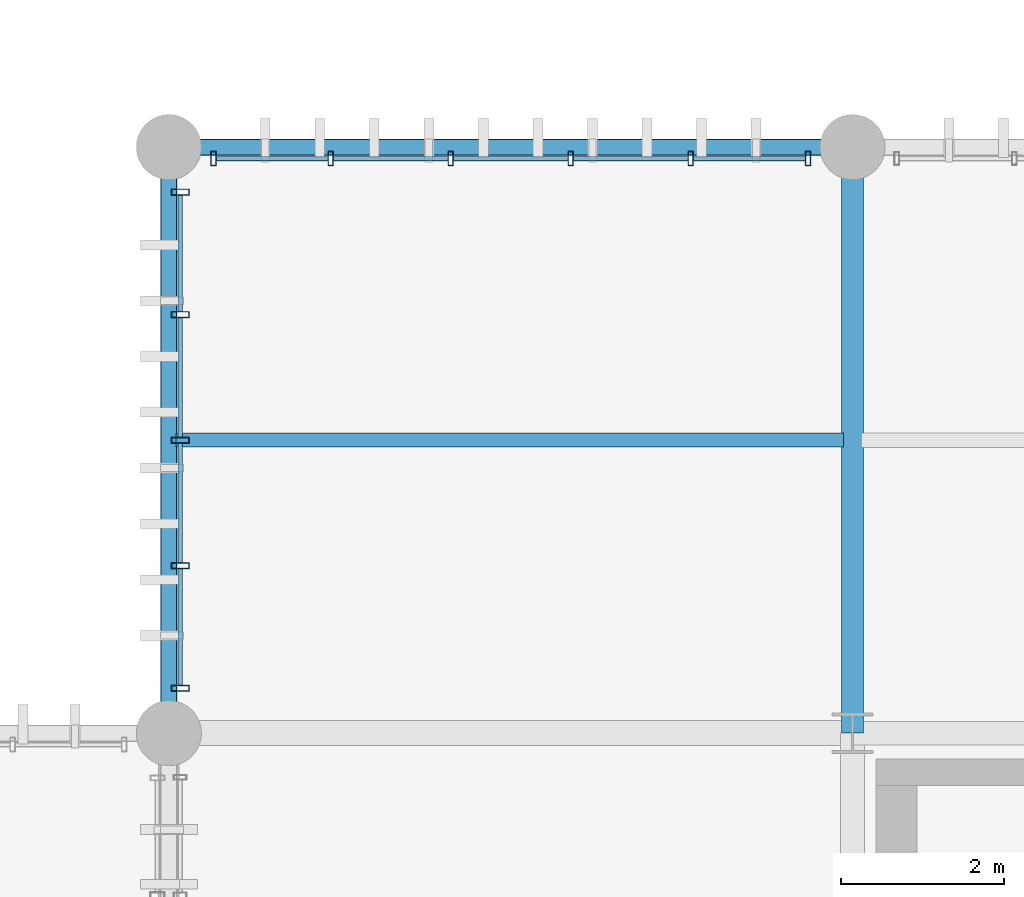
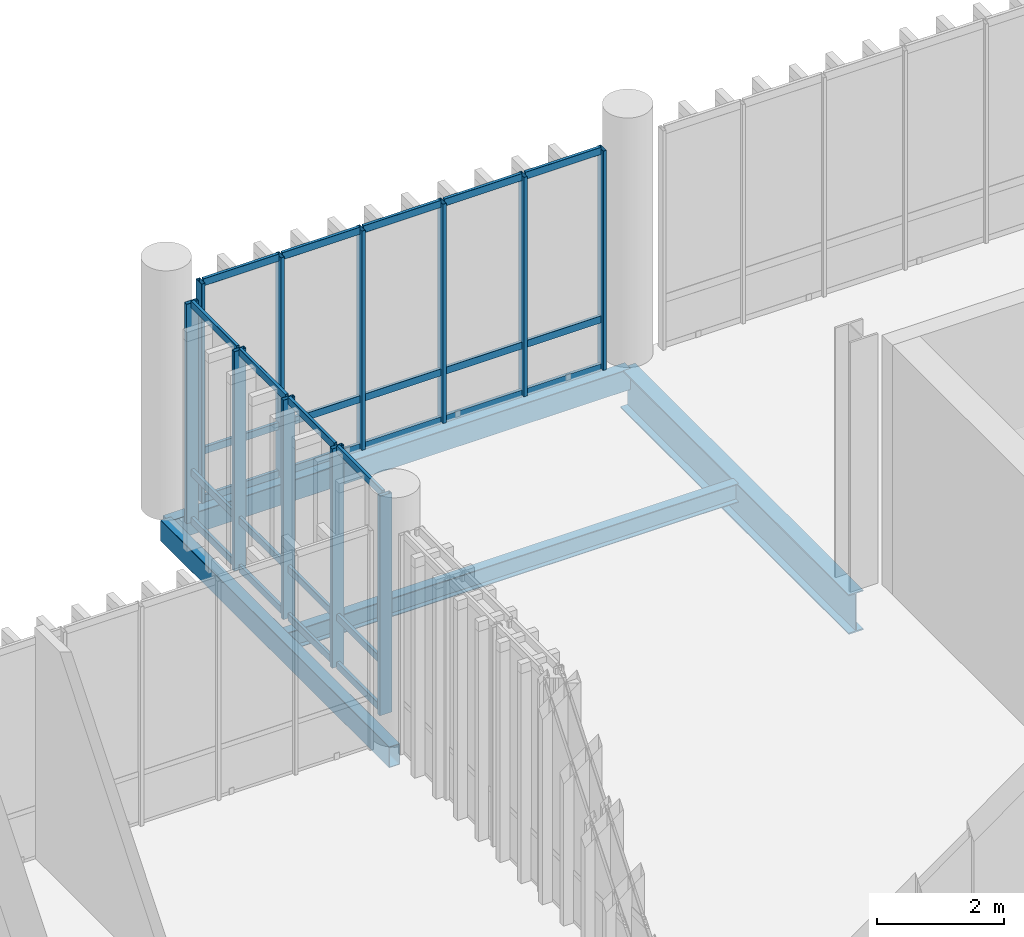
# One storey, part 41 of 109: 38 members, 4 beams, 2 elements without a shape of their own.
"""IFC4 building model written with IfcOpenShell, lengths in metres."""

import ifcopenshell
import ifcopenshell.guid

model = None  # the IFC model being written
_history = None  # IfcOwnerHistory: only IFC2X3 demands one
_inside = {}  # id of a spatial element -> (the spatial element, [elements in it])
_under = {}  # id of a project, library or spatial element -> (it, [spatial elements below it])
_declared = {}  # id of a project -> (the project, [libraries it declares])
_typed = {}  # id of a type object -> (the type object, [elements of that type])
_made_of = {}  # id of a material, layer set ... -> (it, [elements and type objects made of it])


def new_model(schema):
    """Start an empty IFC model of exactly this schema.

    Asked for "IFC4X3", IfcOpenShell would pick the latest addendum, in which some entities
    have other attributes; the version numbers below select the first issue.
    IFC2X3 requires an IfcOwnerHistory on every rooted entity: one is made here for all.
    """
    global model, _history
    if schema == "IFC4X3":
        model = ifcopenshell.file(schema_version=(4, 3, 0, 0))
    else:
        model = ifcopenshell.file(schema=schema)
    _inside.clear()
    _under.clear()
    _declared.clear()
    _typed.clear()
    _made_of.clear()
    _history = None
    if model.schema == "IFC2X3":
        org = make("IfcOrganization", Name="unknown")
        user = make(
            "IfcPersonAndOrganization",
            ThePerson=make("IfcPerson", FamilyName="unknown"),
            TheOrganization=org,
        )
        app = make(
            "IfcApplication",
            ApplicationDeveloper=org,
            Version="unknown",
            ApplicationFullName="unknown",
            ApplicationIdentifier="unknown",
        )
        _history = make(
            "IfcOwnerHistory",
            OwningUser=user,
            OwningApplication=app,
            ChangeAction="ADDED",
            CreationDate=0,
        )
    return model


def make(cls, **values):
    """One entity of the class cls with the attributes given. An attribute that is None is left unset."""
    return model.create_entity(
        cls, **{name: value for name, value in values.items() if value is not None}
    )


def rooted(cls, **values):
    """An entity with a GlobalId (a new one), such as an element, a storey or a relation."""
    return make(cls, GlobalId=ifcopenshell.guid.new(), OwnerHistory=_history, **values)


def si_unit(unit_type, name, prefix=None):
    """IfcSIUnit, for example si_unit("LENGTHUNIT", "METRE", prefix="MILLI")."""
    return make("IfcSIUnit", UnitType=unit_type, Prefix=prefix, Name=name)


def assignment(units):
    """IfcUnitAssignment: the units of a project."""
    return None if units is None else make("IfcUnitAssignment", Units=units)


def point(xyz):
    """IfcCartesianPoint."""
    return None if xyz is None else make("IfcCartesianPoint", Coordinates=xyz)


def direction(xyz):
    """IfcDirection."""
    return None if xyz is None else make("IfcDirection", DirectionRatios=xyz)


def frame(location, z_axis=None, x_axis=None):
    """IfcAxis2Placement3D, a coordinate frame: its origin and axes. An axis left out is left unset."""
    return make(
        "IfcAxis2Placement3D",
        Location=point(location),
        Axis=direction(z_axis),
        RefDirection=direction(x_axis),
    )


def frame_2d(location, x_axis=None):
    """IfcAxis2Placement2D, a coordinate frame in the plane: its origin and x axis."""
    return make(
        "IfcAxis2Placement2D", Location=point(location), RefDirection=direction(x_axis)
    )


def origin_with_axes():
    """The frame at (0, 0, 0) with the z axis (0, 0, 1) and the x axis (1, 0, 0) written out."""
    return frame((0.0, 0.0, 0.0), z_axis=(0.0, 0.0, 1.0), x_axis=(1.0, 0.0, 0.0))


def origin_2d_with_axis():
    """The frame at (0, 0) in the plane with the x axis (1, 0) written out."""
    return frame_2d((0.0, 0.0), x_axis=(1.0, 0.0))


def place(relative_to, where):
    """IfcLocalPlacement: puts the frame where relative to a parent placement (None: the world)."""
    return make(
        "IfcLocalPlacement", PlacementRelTo=relative_to, RelativePlacement=where
    )


def context(
    kind, dimensions, precision=None, world=None, true_north=None, identifier=None
):
    """IfcGeometricRepresentationContext, for example the 3D "Model" context."""
    return make(
        "IfcGeometricRepresentationContext",
        ContextIdentifier=identifier,
        ContextType=kind,
        CoordinateSpaceDimension=dimensions,
        Precision=precision,
        WorldCoordinateSystem=world,
        TrueNorth=true_north,
    )


def subcontext(parent, identifier, kind, view, scale=None):
    """IfcGeometricRepresentationSubContext, for example "Body" below "Model"."""
    return make(
        "IfcGeometricRepresentationSubContext",
        ContextIdentifier=identifier,
        ContextType=kind,
        ParentContext=parent,
        TargetScale=scale,
        TargetView=view,
    )


def project(units=None, contexts=None):
    """IfcProject with its units and contexts."""
    return rooted(
        "IfcProject",
        Name="project",
        RepresentationContexts=contexts,
        UnitsInContext=assignment(units),
    )


def spatial(cls, under=None, at=None, **own):
    """A site, building, storey or space (cls), placed at a placement, below another one or the project."""
    s = rooted(cls, ObjectPlacement=at, **own)
    if under is not None:
        _under.setdefault(under.id(), (under, []))[1].append(s)
    return s


def profile(cls, at=None, kind="AREA", **sizes):
    """A parametric profile (cls). Its sizes go by their IFC names, for example OverallWidth=200.0."""
    return make(cls, ProfileType=kind, Position=at, **sizes)


def hollow_rectangle(**sizes):
    """IfcRectangleHollowProfileDef."""
    return profile("IfcRectangleHollowProfileDef", **sizes)


def i_section(**sizes):
    """IfcIShapeProfileDef."""
    return profile("IfcIShapeProfileDef", **sizes)


def extrude(swept, where, along, depth):
    """IfcExtrudedAreaSolid: the profile swept, set in the frame where, extruded along a direction by depth."""
    return make(
        "IfcExtrudedAreaSolid",
        SweptArea=swept,
        Position=where,
        ExtrudedDirection=direction(along),
        Depth=depth,
    )


def shape(context_of_items, identifier, shape_type, items):
    """IfcShapeRepresentation: the items that make up one representation, for example the "Body"."""
    return make(
        "IfcShapeRepresentation",
        ContextOfItems=context_of_items,
        RepresentationIdentifier=identifier,
        RepresentationType=shape_type,
        Items=items,
    )


def material(Name=None, Category=None):
    """IfcMaterial."""
    return make("IfcMaterial", Name=Name, Category=Category)


def material_profile(
    of_material, cross_section, Name=None, Category=None, Priority=None
):
    """IfcMaterialProfile: a cross section and its material."""
    return make(
        "IfcMaterialProfile",
        Name=Name,
        Material=of_material,
        Profile=cross_section,
        Priority=Priority,
        Category=Category,
    )


def profile_set(profiles, Name=None, composite=None):
    """IfcMaterialProfileSet."""
    return make(
        "IfcMaterialProfileSet",
        Name=Name,
        MaterialProfiles=profiles,
        CompositeProfile=composite,
    )


def made_of(thing, what):
    """Note that an element or type object is made of a material, layer set ...; save() writes the relation."""
    if what is not None:
        _made_of.setdefault(what.id(), (what, []))[1].append(thing)
    return thing


def type_object(cls, material=None, **own):
    """A type object (cls), such as IfcWallType, which elements share."""
    return made_of(rooted(cls, **own), material)


def element(
    cls,
    number,
    at=None,
    inside=None,
    cuts=None,
    type_object=None,
    material=None,
    context=None,
    identifier="Body",
    shape_type=None,
    held_by="IfcProductDefinitionShape",
    body=None,
    shapes=None,
    **own,
):
    """One element of the class cls, such as IfcWall. Its Tag is "e" and its number.

    at: its placement. inside: the storey or other place that contains it. cuts: it is an
    opening in that element (IfcRelVoidsElement). A single representation is given by context,
    identifier, shape_type and body (its items); several are given by shapes. held_by: the class
    of the entity that holds the representations. save() writes the other relations.
    """
    e = rooted(cls, Tag="e%d" % number, ObjectPlacement=at, **own)
    if body is not None:
        shapes = [shape(context, identifier, shape_type, body)]
    if shapes is not None:
        e.Representation = make(held_by, Representations=shapes)
    if inside is not None:
        _inside.setdefault(inside.id(), (inside, []))[1].append(e)
    if cuts is not None:
        rooted(
            "IfcRelVoidsElement", RelatingBuildingElement=cuts, RelatedOpeningElement=e
        )
    if type_object is not None:
        _typed.setdefault(type_object.id(), (type_object, []))[1].append(e)
    return made_of(e, material)


def aggregate(whole, parts):
    """IfcRelAggregates: a whole, such as a stair, and the parts it consists of."""
    return rooted("IfcRelAggregates", RelatingObject=whole, RelatedObjects=parts)


def save(model, path):
    """Write the relations noted so far, then the file.

    IfcRelAggregates (storeys below a building ...), IfcRelContainedInSpatialStructure (elements
    in a storey), IfcRelDefinesByType, IfcRelAssociatesMaterial and IfcRelDeclares: one each for
    every whole, place, type object, material and project.
    """
    for whole, parts in _under.values():
        aggregate(whole, parts)
    for where, things in _inside.values():
        rooted(
            "IfcRelContainedInSpatialStructure",
            RelatedElements=things,
            RelatingStructure=where,
        )
    for kind, things in _typed.values():
        rooted("IfcRelDefinesByType", RelatedObjects=things, RelatingType=kind)
    for what, things in _made_of.values():
        rooted("IfcRelAssociatesMaterial", RelatedObjects=things, RelatingMaterial=what)
    for by, libraries in _declared.values():
        rooted("IfcRelDeclares", RelatingContext=by, RelatedDefinitions=libraries)
    model.write(path)


model = new_model("IFC4")

# Units and contexts
model_context = context("Model", 3, precision=1e-05, world=origin_with_axes(), true_north=direction((0.0, 1.0)))
body_context = subcontext(model_context, "Body", "Model", "MODEL_VIEW")
ifc_project = project(units=[si_unit("LENGTHUNIT", "METRE"), si_unit("AREAUNIT", "SQUARE_METRE"), si_unit("VOLUMEUNIT", "CUBIC_METRE"), si_unit("PLANEANGLEUNIT", "RADIAN"), si_unit("MASSUNIT", "GRAM", prefix="KILO"), si_unit("THERMODYNAMICTEMPERATUREUNIT", "KELVIN")], contexts=[model_context])

# Site, building, storey
site_placement = place(None, origin_with_axes())
site = spatial("IfcSite", under=ifc_project, at=site_placement, CompositionType="ELEMENT")
building_placement = place(site_placement, origin_with_axes())
building = spatial("IfcBuilding", under=site, at=building_placement, Name="Montbau Bow Law Courts", CompositionType="ELEMENT")
storey_placement = place(building_placement, frame((0.0, 0.0, 10.8), z_axis=(0.0, 0.0, 1.0), x_axis=(1.0, 0.0, 0.0)))
storey = spatial("IfcBuildingStorey", under=building, at=storey_placement, Name="L02", CompositionType="ELEMENT", Elevation=10.8)

# Beams
ifc_material_1 = material(Name="Steel CSA G40.21 Grade 350W (350 MPa)", Category="steel")
ifc_material_profile_1 = material_profile(ifc_material_1, i_section(OverallWidth=0.267, OverallDepth=0.766, WebThickness=0.0149, FlangeThickness=0.0236, at=origin_2d_with_axis()), Name="W760X185", Category="Main", Priority=0)
ifc_profile_set_1 = profile_set([ifc_material_profile_1], Name="Steel CSA G40.21 Grade 350W (350 MPa)")
beam_type_1 = type_object("IfcBeamType", Name="B-FLR-03", PredefinedType="BEAM", material=ifc_profile_set_1)
beam_1_placement = place(None, frame((55.2, 54.6, 10.177), z_axis=(0.0, 1.0, 0.0), x_axis=(-1.0, 0.0, 0.0)))
element("IfcBeam", 1, at=beam_1_placement, inside=storey, type_object=beam_type_1, Name="BM-L02-S0860:bm2_0863", PredefinedType="BEAM", context=body_context, shape_type="SweptSolid", body=[
    extrude(i_section(OverallWidth=0.267, OverallDepth=0.766, WebThickness=0.0149, FlangeThickness=0.0236, at=origin_2d_with_axis()), origin_with_axes(), (0.0, 0.0, 1.0), 7.2),
])
ifc_material_profile_2 = material_profile(ifc_material_1, i_section(OverallWidth=0.172, OverallDepth=0.358, WebThickness=0.0079, FlangeThickness=0.0131, at=origin_2d_with_axis()), Name="W360X57", Category="Main", Priority=0)
ifc_profile_set_2 = profile_set([ifc_material_profile_2], Name="Steel CSA G40.21 Grade 350W (350 MPa)")
beam_type_2 = type_object("IfcBeamType", Name="B-JST-03", PredefinedType="JOIST", material=ifc_profile_set_2)
beam_2_placement = place(None, frame((46.88, 58.2, 10.381), z_axis=(1.0, 0.0, 0.0), x_axis=(0.0, 1.0, 0.0)))
element("IfcBeam", 2, at=beam_2_placement, inside=storey, type_object=beam_type_2, Name="JST-L02-S0438:jst2_0438", PredefinedType="JOIST", context=body_context, shape_type="SweptSolid", body=[
    extrude(i_section(OverallWidth=0.172, OverallDepth=0.358, WebThickness=0.0079, FlangeThickness=0.0131, at=origin_2d_with_axis()), origin_with_axes(), (0.0, 0.0, 1.0), 8.211),
])
ifc_material_2 = material(Name="Steel CSA G40.21 Grade 350WT (350 MPa)", Category="steel")
ifc_material_profile_3 = material_profile(ifc_material_2, hollow_rectangle(XDim=0.203, YDim=0.406, WallThickness=0.0127, InnerFilletRadius=0.0254, OuterFilletRadius=0.0127, at=origin_2d_with_axis()), Name="HSS406X203X13", Category="Main", Priority=0)
ifc_profile_set_3 = profile_set([ifc_material_profile_3], Name="Steel CSA G40.21 Grade 350WT (350 MPa)")
beam_type_3 = type_object("IfcBeamType", Name="B-SPN-01", PredefinedType="SPANDREL", material=ifc_profile_set_3)
beam_3_placement = place(None, frame((46.8, 61.8, 10.357), z_axis=(1.0, 0.0, 0.0), x_axis=(0.0, 1.0, 0.0)))
element("IfcBeam", 3, at=beam_3_placement, inside=storey, type_object=beam_type_3, Name="SPN-L02-S0851:bm2_0854", PredefinedType="SPANDREL", context=body_context, shape_type="SweptSolid", body=[
    extrude(hollow_rectangle(XDim=0.203, YDim=0.406, WallThickness=0.0127, InnerFilletRadius=0.0254, OuterFilletRadius=0.0127, at=origin_2d_with_axis()), origin_with_axes(), (0.0, 0.0, 1.0), 8.4),
])
beam_4_placement = place(None, frame((46.8, 54.6, 10.357), z_axis=(0.0, 1.0, 0.0), x_axis=(-1.0, 0.0, 0.0)))
element("IfcBeam", 4, at=beam_4_placement, inside=storey, type_object=beam_type_3, Name="SPN-L02-S0857:bm2_0860", PredefinedType="SPANDREL", context=body_context, shape_type="SweptSolid", body=[
    extrude(hollow_rectangle(XDim=0.203, YDim=0.406, WallThickness=0.0127, InnerFilletRadius=0.0254, OuterFilletRadius=0.0127, at=origin_2d_with_axis()), origin_with_axes(), (0.0, 0.0, 1.0), 7.2),
])

# Curtain wall, members
ifc_material_3 = material(Name="Thermally Broken Extruded Aluminium AA 6063-T6", Category="aluminium")
curtain_wall_type = type_object("IfcCurtainWallType", Name="CW-CRM-01", PredefinedType="NOTDEFINED", material=ifc_material_3)
curtain_wall_1_placement = place(None, frame((46.94, 55.115, 10.8), z_axis=(0.0, 0.0, 1.0), x_axis=(1.0, 0.0, 0.0)))
curtain_wall_1 = element("IfcCurtainWall", 5, at=curtain_wall_1_placement, inside=storey, type_object=curtain_wall_type, Name="CW-L02-171:cw_0171", PredefinedType="NOTDEFINED")
ifc_material_profile_4 = material_profile(ifc_material_3, hollow_rectangle(XDim=0.075, YDim=0.22, WallThickness=0.005, InnerFilletRadius=0.01, OuterFilletRadius=0.005, at=origin_2d_with_axis()), Name="CWM-220X75", Category="Main", Priority=0)
ifc_profile_set_4 = profile_set([ifc_material_profile_4], Name="Thermally Broken Extruded Aluminium AA 6063-T6")
member_type_1 = type_object("IfcMemberType", Name="M-MUL-01", PredefinedType="MULLION", material=ifc_profile_set_4)
member_1_placement = place(None, frame((46.94, 55.152, 10.8), z_axis=(0.0, 0.0, 1.0), x_axis=(0.0, 1.0, 0.0)))
member_1 = element("IfcMember", 6, at=member_1_placement, type_object=member_type_1, Name="CW-L02-171-M01:cw_0171_M01", PredefinedType="MULLION", context=body_context, shape_type="SweptSolid", body=[
    extrude(hollow_rectangle(XDim=0.075, YDim=0.22, WallThickness=0.005, InnerFilletRadius=0.01, OuterFilletRadius=0.005, at=origin_2d_with_axis()), origin_with_axes(), (0.0, 0.0, 1.0), 4.22),
])
member_2_placement = place(None, frame((46.94, 56.657, 10.8), z_axis=(0.0, 0.0, 1.0), x_axis=(0.0, 1.0, 0.0)))
member_2 = element("IfcMember", 7, at=member_2_placement, type_object=member_type_1, Name="CW-L02-171-M02:cw_0171_M02", PredefinedType="MULLION", context=body_context, shape_type="SweptSolid", body=[
    extrude(hollow_rectangle(XDim=0.075, YDim=0.22, WallThickness=0.005, InnerFilletRadius=0.01, OuterFilletRadius=0.005, at=origin_2d_with_axis()), origin_with_axes(), (0.0, 0.0, 1.0), 4.22),
])
member_3_placement = place(None, frame((46.94, 58.2, 10.8), z_axis=(0.0, 0.0, 1.0), x_axis=(0.0, 1.0, 0.0)))
member_3 = element("IfcMember", 8, at=member_3_placement, type_object=member_type_1, Name="CW-L02-171-M03:cw_0171_M03", PredefinedType="MULLION", context=body_context, shape_type="SweptSolid", body=[
    extrude(hollow_rectangle(XDim=0.075, YDim=0.22, WallThickness=0.005, InnerFilletRadius=0.01, OuterFilletRadius=0.005, at=origin_2d_with_axis()), origin_with_axes(), (0.0, 0.0, 1.0), 4.22),
])
member_4_placement = place(None, frame((46.94, 59.742, 10.8), z_axis=(0.0, 0.0, 1.0), x_axis=(0.0, 1.0, 0.0)))
member_4 = element("IfcMember", 9, at=member_4_placement, type_object=member_type_1, Name="CW-L02-171-M04:cw_0171_M04", PredefinedType="MULLION", context=body_context, shape_type="SweptSolid", body=[
    extrude(hollow_rectangle(XDim=0.075, YDim=0.22, WallThickness=0.005, InnerFilletRadius=0.01, OuterFilletRadius=0.005, at=origin_2d_with_axis()), origin_with_axes(), (0.0, 0.0, 1.0), 4.22),
])
member_5_placement = place(None, frame((46.94, 61.247, 10.8), z_axis=(0.0, 0.0, 1.0), x_axis=(0.0, 1.0, 0.0)))
member_5 = element("IfcMember", 10, at=member_5_placement, type_object=member_type_1, Name="CW-L02-171-M05:cw_0171_M05", PredefinedType="MULLION", context=body_context, shape_type="SweptSolid", body=[
    extrude(hollow_rectangle(XDim=0.075, YDim=0.22, WallThickness=0.005, InnerFilletRadius=0.01, OuterFilletRadius=0.005, at=origin_2d_with_axis()), origin_with_axes(), (0.0, 0.0, 1.0), 4.22),
])

curtain_wall_2_placement = place(None, frame((47.315, 61.66, 10.8), z_axis=(0.0, 0.0, 1.0), x_axis=(1.0, 0.0, 0.0)))
curtain_wall_2 = element("IfcCurtainWall", 11, at=curtain_wall_2_placement, inside=storey, type_object=curtain_wall_type, Name="CW-L02-163:cw_0163", PredefinedType="NOTDEFINED")
ifc_material_profile_5 = material_profile(ifc_material_3, hollow_rectangle(XDim=0.065, YDim=0.18, WallThickness=0.005, InnerFilletRadius=0.01, OuterFilletRadius=0.005, at=origin_2d_with_axis()), Name="CWM-180X65", Category="Main", Priority=0)
ifc_profile_set_5 = profile_set([ifc_material_profile_5], Name="Thermally Broken Extruded Aluminium AA 6063-T6")
member_type_2 = type_object("IfcMemberType", Name="M-MUL-02", PredefinedType="MULLION", material=ifc_profile_set_5)
member_6_placement = place(None, frame((47.348, 61.66, 10.8), z_axis=(0.0, 0.0, 1.0), x_axis=(1.0, 0.0, 0.0)))
member_6 = element("IfcMember", 12, at=member_6_placement, type_object=member_type_2, Name="CW-L02-163-M01:cw_0163_M01", PredefinedType="MULLION", context=body_context, shape_type="SweptSolid", body=[
    extrude(hollow_rectangle(XDim=0.065, YDim=0.18, WallThickness=0.005, InnerFilletRadius=0.01, OuterFilletRadius=0.005, at=origin_2d_with_axis()), origin_with_axes(), (0.0, 0.0, 1.0), 4.22),
])
member_7_placement = place(None, frame((48.789, 61.66, 10.8), z_axis=(0.0, 0.0, 1.0), x_axis=(1.0, 0.0, 0.0)))
member_7 = element("IfcMember", 13, at=member_7_placement, type_object=member_type_2, Name="CW-L02-163-M02:cw_0163_M02", PredefinedType="MULLION", context=body_context, shape_type="SweptSolid", body=[
    extrude(hollow_rectangle(XDim=0.065, YDim=0.18, WallThickness=0.005, InnerFilletRadius=0.01, OuterFilletRadius=0.005, at=origin_2d_with_axis()), origin_with_axes(), (0.0, 0.0, 1.0), 4.22),
])
member_8_placement = place(None, frame((50.263, 61.66, 10.8), z_axis=(0.0, 0.0, 1.0), x_axis=(1.0, 0.0, 0.0)))
member_8 = element("IfcMember", 14, at=member_8_placement, type_object=member_type_2, Name="CW-L02-163-M03:cw_0163_M03", PredefinedType="MULLION", context=body_context, shape_type="SweptSolid", body=[
    extrude(hollow_rectangle(XDim=0.065, YDim=0.18, WallThickness=0.005, InnerFilletRadius=0.01, OuterFilletRadius=0.005, at=origin_2d_with_axis()), origin_with_axes(), (0.0, 0.0, 1.0), 4.22),
])
member_9_placement = place(None, frame((51.737, 61.66, 10.8), z_axis=(0.0, 0.0, 1.0), x_axis=(1.0, 0.0, 0.0)))
member_9 = element("IfcMember", 15, at=member_9_placement, type_object=member_type_2, Name="CW-L02-163-M04:cw_0163_M04", PredefinedType="MULLION", context=body_context, shape_type="SweptSolid", body=[
    extrude(hollow_rectangle(XDim=0.065, YDim=0.18, WallThickness=0.005, InnerFilletRadius=0.01, OuterFilletRadius=0.005, at=origin_2d_with_axis()), origin_with_axes(), (0.0, 0.0, 1.0), 4.22),
])
member_10_placement = place(None, frame((53.211, 61.66, 10.8), z_axis=(0.0, 0.0, 1.0), x_axis=(1.0, 0.0, 0.0)))
member_10 = element("IfcMember", 16, at=member_10_placement, type_object=member_type_2, Name="CW-L02-163-M05:cw_0163_M05", PredefinedType="MULLION", context=body_context, shape_type="SweptSolid", body=[
    extrude(hollow_rectangle(XDim=0.065, YDim=0.18, WallThickness=0.005, InnerFilletRadius=0.01, OuterFilletRadius=0.005, at=origin_2d_with_axis()), origin_with_axes(), (0.0, 0.0, 1.0), 4.22),
])
member_11_placement = place(None, frame((54.653, 61.66, 10.8), z_axis=(0.0, 0.0, 1.0), x_axis=(1.0, 0.0, 0.0)))
member_11 = element("IfcMember", 17, at=member_11_placement, type_object=member_type_2, Name="CW-L02-163-M06:cw_0163_M06", PredefinedType="MULLION", context=body_context, shape_type="SweptSolid", body=[
    extrude(hollow_rectangle(XDim=0.065, YDim=0.18, WallThickness=0.005, InnerFilletRadius=0.01, OuterFilletRadius=0.005, at=origin_2d_with_axis()), origin_with_axes(), (0.0, 0.0, 1.0), 4.22),
])
ifc_material_profile_6 = material_profile(ifc_material_3, hollow_rectangle(XDim=0.055, YDim=0.14, WallThickness=0.004, InnerFilletRadius=0.008, OuterFilletRadius=0.004, at=origin_2d_with_axis()), Name="CWT-140X55", Category="Main", Priority=0)
ifc_profile_set_6 = profile_set([ifc_material_profile_6], Name="Thermally Broken Extruded Aluminium AA 6063-T6")
member_type_3 = type_object("IfcMemberType", Name="M-TRN-02", PredefinedType="USERDEFINED", material=ifc_profile_set_6)
member_12_placement = place(None, frame((47.383, 61.66, 10.828), z_axis=(1.0, 0.0, 0.0), x_axis=(0.0, 1.0, 0.0)))
member_12 = element("IfcMember", 18, at=member_12_placement, type_object=member_type_3, Name="CW-L02-163-T01-1:cw_0163_T01_1", ObjectType="TRANSOM", PredefinedType="USERDEFINED", context=body_context, shape_type="SweptSolid", body=[
    extrude(hollow_rectangle(XDim=0.055, YDim=0.14, WallThickness=0.004, InnerFilletRadius=0.008, OuterFilletRadius=0.004, at=origin_2d_with_axis()), origin_with_axes(), (0.0, 0.0, 1.0), 1.372),
])
member_13_placement = place(None, frame((47.383, 61.66, 11.75), z_axis=(1.0, 0.0, 0.0), x_axis=(0.0, 1.0, 0.0)))
member_13 = element("IfcMember", 19, at=member_13_placement, type_object=member_type_3, Name="CW-L02-163-T01-2:cw_0163_T01_2", ObjectType="TRANSOM", PredefinedType="USERDEFINED", context=body_context, shape_type="SweptSolid", body=[
    extrude(hollow_rectangle(XDim=0.055, YDim=0.14, WallThickness=0.004, InnerFilletRadius=0.008, OuterFilletRadius=0.004, at=origin_2d_with_axis()), origin_with_axes(), (0.0, 0.0, 1.0), 1.372),
])
member_14_placement = place(None, frame((47.383, 61.66, 14.992), z_axis=(1.0, 0.0, 0.0), x_axis=(0.0, 1.0, 0.0)))
member_14 = element("IfcMember", 20, at=member_14_placement, type_object=member_type_3, Name="CW-L02-163-T01-3:cw_0163_T01_3", ObjectType="TRANSOM", PredefinedType="USERDEFINED", context=body_context, shape_type="SweptSolid", body=[
    extrude(hollow_rectangle(XDim=0.055, YDim=0.14, WallThickness=0.004, InnerFilletRadius=0.008, OuterFilletRadius=0.004, at=origin_2d_with_axis()), origin_with_axes(), (0.0, 0.0, 1.0), 1.372),
])
member_15_placement = place(None, frame((48.823, 61.66, 10.828), z_axis=(1.0, 0.0, 0.0), x_axis=(0.0, 1.0, 0.0)))
member_15 = element("IfcMember", 21, at=member_15_placement, type_object=member_type_3, Name="CW-L02-163-T02-1:cw_0163_T02_1", ObjectType="TRANSOM", PredefinedType="USERDEFINED", context=body_context, shape_type="SweptSolid", body=[
    extrude(hollow_rectangle(XDim=0.055, YDim=0.14, WallThickness=0.004, InnerFilletRadius=0.008, OuterFilletRadius=0.004, at=origin_2d_with_axis()), origin_with_axes(), (0.0, 0.0, 1.0), 1.405),
])
member_16_placement = place(None, frame((48.823, 61.66, 11.75), z_axis=(1.0, 0.0, 0.0), x_axis=(0.0, 1.0, 0.0)))
member_16 = element("IfcMember", 22, at=member_16_placement, type_object=member_type_3, Name="CW-L02-163-T02-2:cw_0163_T02_2", ObjectType="TRANSOM", PredefinedType="USERDEFINED", context=body_context, shape_type="SweptSolid", body=[
    extrude(hollow_rectangle(XDim=0.055, YDim=0.14, WallThickness=0.004, InnerFilletRadius=0.008, OuterFilletRadius=0.004, at=origin_2d_with_axis()), origin_with_axes(), (0.0, 0.0, 1.0), 1.405),
])
member_17_placement = place(None, frame((48.823, 61.66, 14.992), z_axis=(1.0, 0.0, 0.0), x_axis=(0.0, 1.0, 0.0)))
member_17 = element("IfcMember", 23, at=member_17_placement, type_object=member_type_3, Name="CW-L02-163-T02-3:cw_0163_T02_3", ObjectType="TRANSOM", PredefinedType="USERDEFINED", context=body_context, shape_type="SweptSolid", body=[
    extrude(hollow_rectangle(XDim=0.055, YDim=0.14, WallThickness=0.004, InnerFilletRadius=0.008, OuterFilletRadius=0.004, at=origin_2d_with_axis()), origin_with_axes(), (0.0, 0.0, 1.0), 1.405),
])
member_18_placement = place(None, frame((50.297, 61.66, 10.828), z_axis=(1.0, 0.0, 0.0), x_axis=(0.0, 1.0, 0.0)))
member_18 = element("IfcMember", 24, at=member_18_placement, type_object=member_type_3, Name="CW-L02-163-T03-1:cw_0163_T03_1", ObjectType="TRANSOM", PredefinedType="USERDEFINED", context=body_context, shape_type="SweptSolid", body=[
    extrude(hollow_rectangle(XDim=0.055, YDim=0.14, WallThickness=0.004, InnerFilletRadius=0.008, OuterFilletRadius=0.004, at=origin_2d_with_axis()), origin_with_axes(), (0.0, 0.0, 1.0), 1.406),
])
member_19_placement = place(None, frame((50.297, 61.66, 11.75), z_axis=(1.0, 0.0, 0.0), x_axis=(0.0, 1.0, 0.0)))
member_19 = element("IfcMember", 25, at=member_19_placement, type_object=member_type_3, Name="CW-L02-163-T03-2:cw_0163_T03_2", ObjectType="TRANSOM", PredefinedType="USERDEFINED", context=body_context, shape_type="SweptSolid", body=[
    extrude(hollow_rectangle(XDim=0.055, YDim=0.14, WallThickness=0.004, InnerFilletRadius=0.008, OuterFilletRadius=0.004, at=origin_2d_with_axis()), origin_with_axes(), (0.0, 0.0, 1.0), 1.406),
])
member_20_placement = place(None, frame((50.297, 61.66, 14.992), z_axis=(1.0, 0.0, 0.0), x_axis=(0.0, 1.0, 0.0)))
member_20 = element("IfcMember", 26, at=member_20_placement, type_object=member_type_3, Name="CW-L02-163-T03-3:cw_0163_T03_3", ObjectType="TRANSOM", PredefinedType="USERDEFINED", context=body_context, shape_type="SweptSolid", body=[
    extrude(hollow_rectangle(XDim=0.055, YDim=0.14, WallThickness=0.004, InnerFilletRadius=0.008, OuterFilletRadius=0.004, at=origin_2d_with_axis()), origin_with_axes(), (0.0, 0.0, 1.0), 1.406),
])
member_21_placement = place(None, frame((51.771, 61.66, 10.828), z_axis=(1.0, 0.0, 0.0), x_axis=(0.0, 1.0, 0.0)))
member_21 = element("IfcMember", 27, at=member_21_placement, type_object=member_type_3, Name="CW-L02-163-T04-1:cw_0163_T04_1", ObjectType="TRANSOM", PredefinedType="USERDEFINED", context=body_context, shape_type="SweptSolid", body=[
    extrude(hollow_rectangle(XDim=0.055, YDim=0.14, WallThickness=0.004, InnerFilletRadius=0.008, OuterFilletRadius=0.004, at=origin_2d_with_axis()), origin_with_axes(), (0.0, 0.0, 1.0), 1.406),
])
member_22_placement = place(None, frame((51.771, 61.66, 11.75), z_axis=(1.0, 0.0, 0.0), x_axis=(0.0, 1.0, 0.0)))
member_22 = element("IfcMember", 28, at=member_22_placement, type_object=member_type_3, Name="CW-L02-163-T04-2:cw_0163_T04_2", ObjectType="TRANSOM", PredefinedType="USERDEFINED", context=body_context, shape_type="SweptSolid", body=[
    extrude(hollow_rectangle(XDim=0.055, YDim=0.14, WallThickness=0.004, InnerFilletRadius=0.008, OuterFilletRadius=0.004, at=origin_2d_with_axis()), origin_with_axes(), (0.0, 0.0, 1.0), 1.406),
])
member_23_placement = place(None, frame((51.771, 61.66, 14.992), z_axis=(1.0, 0.0, 0.0), x_axis=(0.0, 1.0, 0.0)))
member_23 = element("IfcMember", 29, at=member_23_placement, type_object=member_type_3, Name="CW-L02-163-T04-3:cw_0163_T04_3", ObjectType="TRANSOM", PredefinedType="USERDEFINED", context=body_context, shape_type="SweptSolid", body=[
    extrude(hollow_rectangle(XDim=0.055, YDim=0.14, WallThickness=0.004, InnerFilletRadius=0.008, OuterFilletRadius=0.004, at=origin_2d_with_axis()), origin_with_axes(), (0.0, 0.0, 1.0), 1.406),
])
member_24_placement = place(None, frame((53.245, 61.66, 10.828), z_axis=(1.0, 0.0, 0.0), x_axis=(0.0, 1.0, 0.0)))
member_24 = element("IfcMember", 30, at=member_24_placement, type_object=member_type_3, Name="CW-L02-163-T05-1:cw_0163_T05_1", ObjectType="TRANSOM", PredefinedType="USERDEFINED", context=body_context, shape_type="SweptSolid", body=[
    extrude(hollow_rectangle(XDim=0.055, YDim=0.14, WallThickness=0.004, InnerFilletRadius=0.008, OuterFilletRadius=0.004, at=origin_2d_with_axis()), origin_with_axes(), (0.0, 0.0, 1.0), 1.374),
])
member_25_placement = place(None, frame((53.245, 61.66, 11.75), z_axis=(1.0, 0.0, 0.0), x_axis=(0.0, 1.0, 0.0)))
member_25 = element("IfcMember", 31, at=member_25_placement, type_object=member_type_3, Name="CW-L02-163-T05-2:cw_0163_T05_2", ObjectType="TRANSOM", PredefinedType="USERDEFINED", context=body_context, shape_type="SweptSolid", body=[
    extrude(hollow_rectangle(XDim=0.055, YDim=0.14, WallThickness=0.004, InnerFilletRadius=0.008, OuterFilletRadius=0.004, at=origin_2d_with_axis()), origin_with_axes(), (0.0, 0.0, 1.0), 1.374),
])
member_26_placement = place(None, frame((53.245, 61.66, 14.992), z_axis=(1.0, 0.0, 0.0), x_axis=(0.0, 1.0, 0.0)))
member_26 = element("IfcMember", 32, at=member_26_placement, type_object=member_type_3, Name="CW-L02-163-T05-3:cw_0163_T05_3", ObjectType="TRANSOM", PredefinedType="USERDEFINED", context=body_context, shape_type="SweptSolid", body=[
    extrude(hollow_rectangle(XDim=0.055, YDim=0.14, WallThickness=0.004, InnerFilletRadius=0.008, OuterFilletRadius=0.004, at=origin_2d_with_axis()), origin_with_axes(), (0.0, 0.0, 1.0), 1.374),
])
aggregate(curtain_wall_2, [member_6, member_7, member_8, member_9, member_10, member_11, member_12, member_13, member_14, member_15, member_16, member_17, member_18, member_19, member_20, member_21, member_22, member_23, member_24, member_25, member_26])

# Member
member_27_placement = place(None, frame((46.94, 55.191, 10.828), z_axis=(0.0, 1.0, 0.0), x_axis=(-1.0, 0.0, 0.0)))
member_27 = element("IfcMember", 33, at=member_27_placement, type_object=member_type_3, Name="CW-L02-171-T01-1:cw_0171_T01_1", ObjectType="TRANSOM", PredefinedType="USERDEFINED", context=body_context, shape_type="SweptSolid", body=[
    extrude(hollow_rectangle(XDim=0.055, YDim=0.14, WallThickness=0.004, InnerFilletRadius=0.008, OuterFilletRadius=0.004, at=origin_2d_with_axis()), origin_with_axes(), (0.0, 0.0, 1.0), 1.426),
])

member_28_placement = place(None, frame((46.94, 55.191, 11.75), z_axis=(0.0, 1.0, 0.0), x_axis=(-1.0, 0.0, 0.0)))
member_28 = element("IfcMember", 34, at=member_28_placement, type_object=member_type_3, Name="CW-L02-171-T01-2:cw_0171_T01_2", ObjectType="TRANSOM", PredefinedType="USERDEFINED", context=body_context, shape_type="SweptSolid", body=[
    extrude(hollow_rectangle(XDim=0.055, YDim=0.14, WallThickness=0.004, InnerFilletRadius=0.008, OuterFilletRadius=0.004, at=origin_2d_with_axis()), origin_with_axes(), (0.0, 0.0, 1.0), 1.426),
])

member_29_placement = place(None, frame((46.94, 55.191, 14.992), z_axis=(0.0, 1.0, 0.0), x_axis=(-1.0, 0.0, 0.0)))
member_29 = element("IfcMember", 35, at=member_29_placement, type_object=member_type_3, Name="CW-L02-171-T01-3:cw_0171_T01_3", ObjectType="TRANSOM", PredefinedType="USERDEFINED", context=body_context, shape_type="SweptSolid", body=[
    extrude(hollow_rectangle(XDim=0.055, YDim=0.14, WallThickness=0.004, InnerFilletRadius=0.008, OuterFilletRadius=0.004, at=origin_2d_with_axis()), origin_with_axes(), (0.0, 0.0, 1.0), 1.426),
])

member_30_placement = place(None, frame((46.94, 56.697, 10.828), z_axis=(0.0, 1.0, 0.0), x_axis=(-1.0, 0.0, 0.0)))
member_30 = element("IfcMember", 36, at=member_30_placement, type_object=member_type_3, Name="CW-L02-171-T02-1:cw_0171_T02_1", ObjectType="TRANSOM", PredefinedType="USERDEFINED", context=body_context, shape_type="SweptSolid", body=[
    extrude(hollow_rectangle(XDim=0.055, YDim=0.14, WallThickness=0.004, InnerFilletRadius=0.008, OuterFilletRadius=0.004, at=origin_2d_with_axis()), origin_with_axes(), (0.0, 0.0, 1.0), 1.464),
])

member_31_placement = place(None, frame((46.94, 56.697, 11.75), z_axis=(0.0, 1.0, 0.0), x_axis=(-1.0, 0.0, 0.0)))
member_31 = element("IfcMember", 37, at=member_31_placement, type_object=member_type_3, Name="CW-L02-171-T02-2:cw_0171_T02_2", ObjectType="TRANSOM", PredefinedType="USERDEFINED", context=body_context, shape_type="SweptSolid", body=[
    extrude(hollow_rectangle(XDim=0.055, YDim=0.14, WallThickness=0.004, InnerFilletRadius=0.008, OuterFilletRadius=0.004, at=origin_2d_with_axis()), origin_with_axes(), (0.0, 0.0, 1.0), 1.464),
])

member_32_placement = place(None, frame((46.94, 56.697, 14.992), z_axis=(0.0, 1.0, 0.0), x_axis=(-1.0, 0.0, 0.0)))
member_32 = element("IfcMember", 38, at=member_32_placement, type_object=member_type_3, Name="CW-L02-171-T02-3:cw_0171_T02_3", ObjectType="TRANSOM", PredefinedType="USERDEFINED", context=body_context, shape_type="SweptSolid", body=[
    extrude(hollow_rectangle(XDim=0.055, YDim=0.14, WallThickness=0.004, InnerFilletRadius=0.008, OuterFilletRadius=0.004, at=origin_2d_with_axis()), origin_with_axes(), (0.0, 0.0, 1.0), 1.464),
])

member_33_placement = place(None, frame((46.94, 58.239, 10.828), z_axis=(0.0, 1.0, 0.0), x_axis=(-1.0, 0.0, 0.0)))
member_33 = element("IfcMember", 39, at=member_33_placement, type_object=member_type_3, Name="CW-L02-171-T03-1:cw_0171_T03_1", ObjectType="TRANSOM", PredefinedType="USERDEFINED", context=body_context, shape_type="SweptSolid", body=[
    extrude(hollow_rectangle(XDim=0.055, YDim=0.14, WallThickness=0.004, InnerFilletRadius=0.008, OuterFilletRadius=0.004, at=origin_2d_with_axis()), origin_with_axes(), (0.0, 0.0, 1.0), 1.464),
])

member_34_placement = place(None, frame((46.94, 58.239, 11.75), z_axis=(0.0, 1.0, 0.0), x_axis=(-1.0, 0.0, 0.0)))
member_34 = element("IfcMember", 40, at=member_34_placement, type_object=member_type_3, Name="CW-L02-171-T03-2:cw_0171_T03_2", ObjectType="TRANSOM", PredefinedType="USERDEFINED", context=body_context, shape_type="SweptSolid", body=[
    extrude(hollow_rectangle(XDim=0.055, YDim=0.14, WallThickness=0.004, InnerFilletRadius=0.008, OuterFilletRadius=0.004, at=origin_2d_with_axis()), origin_with_axes(), (0.0, 0.0, 1.0), 1.464),
])

member_35_placement = place(None, frame((46.94, 58.239, 14.992), z_axis=(0.0, 1.0, 0.0), x_axis=(-1.0, 0.0, 0.0)))
member_35 = element("IfcMember", 41, at=member_35_placement, type_object=member_type_3, Name="CW-L02-171-T03-3:cw_0171_T03_3", ObjectType="TRANSOM", PredefinedType="USERDEFINED", context=body_context, shape_type="SweptSolid", body=[
    extrude(hollow_rectangle(XDim=0.055, YDim=0.14, WallThickness=0.004, InnerFilletRadius=0.008, OuterFilletRadius=0.004, at=origin_2d_with_axis()), origin_with_axes(), (0.0, 0.0, 1.0), 1.464),
])

member_36_placement = place(None, frame((46.94, 59.781, 10.828), z_axis=(0.0, 1.0, 0.0), x_axis=(-1.0, 0.0, 0.0)))
member_36 = element("IfcMember", 42, at=member_36_placement, type_object=member_type_3, Name="CW-L02-171-T04-1:cw_0171_T04_1", ObjectType="TRANSOM", PredefinedType="USERDEFINED", context=body_context, shape_type="SweptSolid", body=[
    extrude(hollow_rectangle(XDim=0.055, YDim=0.14, WallThickness=0.004, InnerFilletRadius=0.008, OuterFilletRadius=0.004, at=origin_2d_with_axis()), origin_with_axes(), (0.0, 0.0, 1.0), 1.427),
])

member_37_placement = place(None, frame((46.94, 59.781, 11.75), z_axis=(0.0, 1.0, 0.0), x_axis=(-1.0, 0.0, 0.0)))
member_37 = element("IfcMember", 43, at=member_37_placement, type_object=member_type_3, Name="CW-L02-171-T04-2:cw_0171_T04_2", ObjectType="TRANSOM", PredefinedType="USERDEFINED", context=body_context, shape_type="SweptSolid", body=[
    extrude(hollow_rectangle(XDim=0.055, YDim=0.14, WallThickness=0.004, InnerFilletRadius=0.008, OuterFilletRadius=0.004, at=origin_2d_with_axis()), origin_with_axes(), (0.0, 0.0, 1.0), 1.427),
])

member_38_placement = place(None, frame((46.94, 59.781, 14.992), z_axis=(0.0, 1.0, 0.0), x_axis=(-1.0, 0.0, 0.0)))
member_38 = element("IfcMember", 44, at=member_38_placement, type_object=member_type_3, Name="CW-L02-171-T04-3:cw_0171_T04_3", ObjectType="TRANSOM", PredefinedType="USERDEFINED", context=body_context, shape_type="SweptSolid", body=[
    extrude(hollow_rectangle(XDim=0.055, YDim=0.14, WallThickness=0.004, InnerFilletRadius=0.008, OuterFilletRadius=0.004, at=origin_2d_with_axis()), origin_with_axes(), (0.0, 0.0, 1.0), 1.427),
])

aggregate(curtain_wall_1, [member_1, member_2, member_3, member_4, member_5, member_27, member_28, member_29, member_30, member_31, member_32, member_33, member_34, member_35, member_36, member_37, member_38])

save(model, "model.ifc")
